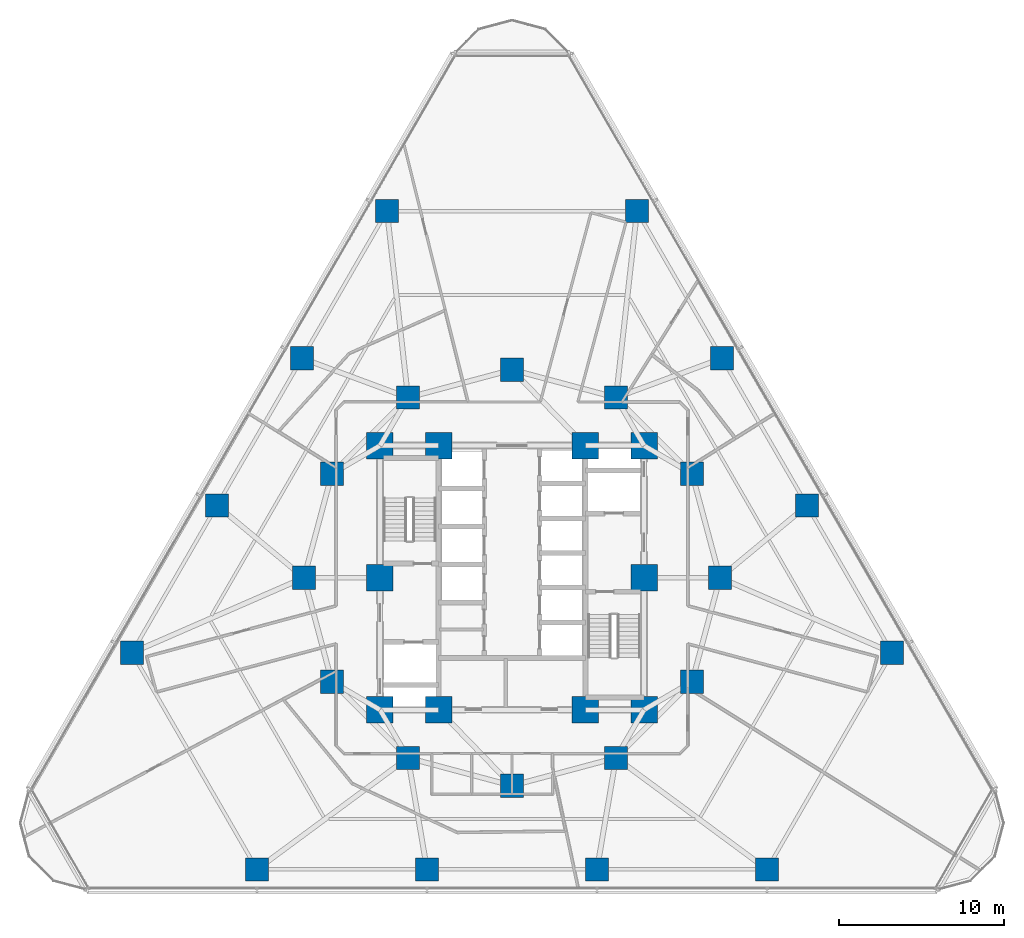
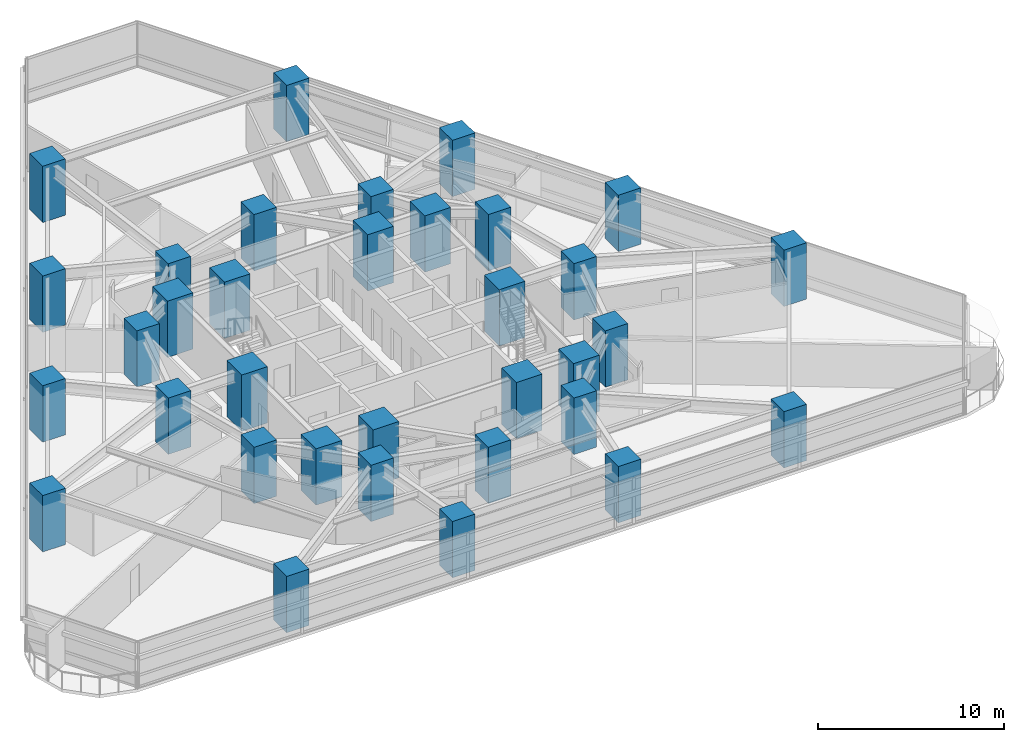
# One storey, part 1 of 15: 34 columns.
"""IFC4 building model written with IfcOpenShell, lengths in metres."""

from ifc_helpers import new_model, si_unit, direction, frame, origin, origin_2d, place, context, subcontext, project, spatial, rectangle, extrude, material, material_profile, profile_set, type_object, element, save


model = new_model("IFC4")

# Units and contexts
model_context = context("Model", 3, precision=1e-05, world=origin(), true_north=direction((0.0, 1.0)))
body_context = subcontext(model_context, "Body", "Model", "MODEL_VIEW")
ifc_project = project(units=[si_unit("LENGTHUNIT", "METRE"), si_unit("AREAUNIT", "SQUARE_METRE"), si_unit("VOLUMEUNIT", "CUBIC_METRE"), si_unit("PLANEANGLEUNIT", "RADIAN"), si_unit("MASSUNIT", "GRAM", prefix="KILO")], contexts=[model_context])

# Site, building, storey
site_placement = place(None, origin())
site = spatial("IfcSite", under=ifc_project, at=site_placement, CompositionType="ELEMENT")
building_placement = place(site_placement, origin())
building = spatial("IfcBuilding", under=site, at=building_placement, Name="Terralouvre Media Tower", CompositionType="ELEMENT")
storey_placement = place(building_placement, frame((0.0, 0.0, 33.39990234375)))
storey = spatial("IfcBuildingStorey", under=building, at=storey_placement, Name="L07", CompositionType="ELEMENT", Elevation=33.39990234375)

# Columns
ifc_material_1 = material(Name="Concrete C60/75", Category="concrete")
ifc_material_profile_1 = material_profile(ifc_material_1, rectangle(XDim=1.39990234375, YDim=1.39990234375, at=origin_2d()), Name="RC 1400x1400")
ifc_profile_set_1 = profile_set([ifc_material_profile_1], Name="Concrete C60/75")
column_type_1 = type_object("IfcColumnType", Name="Structural Column C-RC1400 (RC 1400x1400)", PredefinedType="COLUMN", material=ifc_profile_set_1)
for number, where, z_axis, x_axis, name in (
    (1, (12.60009765625, 0.0, 0.0), (0.0, 0.0, 1.0), (1.0, 0.0, 0.0), "L07 Mega-Frame Column MC01"),
    (2, (10.911865234375, 6.300048828125, 0.0), (0.0, 0.0, 1.0), (1.0, 0.0, 0.0), "L07 Mega-Frame Column MC02"),
    (3, (6.300048828125, 10.911865234375, 0.0), (0.0, 0.0, 1.0), (1.0, 0.0, 0.0), "L07 Mega-Frame Column MC03"),
    (4, (0.0, 12.60009765625, 0.0), (0.0, 0.0, 1.0), (1.0, 0.0, 0.0), "L07 Mega-Frame Column MC04"),
    (5, (-6.300048828125, 10.911865234375, 0.0), (0.0, 0.0, 1.0), (1.0, 0.0, 0.0), "L07 Mega-Frame Column MC05"),
    (6, (-10.911865234375, 6.300048828125, 0.0), (0.0, 0.0, 1.0), (1.0, 0.0, 0.0), "L07 Mega-Frame Column MC06"),
    (7, (-12.60009765625, 0.0, 0.0), (0.0, 0.0, 1.0), (1.0, 0.0, 0.0), "L07 Mega-Frame Column MC07"),
    (8, (-10.911865234375, -6.300048828125, 0.0), (0.0, 0.0, 1.0), (1.0, 0.0, 0.0), "L07 Mega-Frame Column MC08"),
    (9, (-6.300048828125, -10.911865234375, 0.0), (0.0, 0.0, 1.0), (1.0, 0.0, 0.0), "L07 Mega-Frame Column MC09"),
    (10, (0.0, -12.60009765625, 0.0), (0.0, 0.0, 1.0), (1.0, 0.0, 0.0), "L07 Mega-Frame Column MC10"),
    (11, (6.300048828125, -10.911865234375, 0.0), (0.0, 0.0, 1.0), (1.0, 0.0, 0.0), "L07 Mega-Frame Column MC11"),
    (12, (10.911865234375, -6.300048828125, 0.0), (0.0, 0.0, 1.0), (1.0, 0.0, 0.0), "L07 Mega-Frame Column MC12"),
    (13, (-15.449951171875, -17.666748046875, 0.0), (0.0, 0.0, 1.0), (1.0, 0.0, 0.0), "L07 Perimeter Mega-Column PC11"),
    (14, (-5.14990234375, -17.666748046875, 0.0), (0.0, 0.0, 1.0), (1.0, 0.0, 0.0), "L07 Perimeter Mega-Column PC12"),
    (15, (5.14990234375, -17.666748046875, 0.0), (0.0, 0.0, 1.0), (1.0, 0.0, 0.0), "L07 Perimeter Mega-Column PC13"),
    (16, (15.449951171875, -17.666748046875, 0.0), (0.0, 0.0, 1.0), (1.0, 0.0, 0.0), "L07 Perimeter Mega-Column PC14"),
    (17, (23.02490234375, -4.546630859375, 0.0), (0.0, 0.0, 1.0), (1.0, 0.0, 0.0), "L07 Perimeter Mega-Column PC21"),
    (18, (17.874755859375, 4.373291015625, 0.0), (0.0, 0.0, 1.0), (1.0, 0.0, 0.0), "L07 Perimeter Mega-Column PC22"),
    (19, (12.724853515625, 13.29345703125, 0.0), (0.0, 0.0, 1.0), (1.0, 0.0, 0.0), "L07 Perimeter Mega-Column PC23"),
    (20, (7.574951171875, 22.21337890625, 0.0), (0.0, 0.0, 1.0), (1.0, 0.0, 0.0), "L07 Perimeter Mega-Column PC24"),
    (21, (-7.574951171875, 22.21337890625, 0.0), (0.0, 0.0, 1.0), (1.0, 0.0, 0.0), "L07 Perimeter Mega-Column PC31"),
    (22, (-12.724853515625, 13.29345703125, 0.0), (0.0, 0.0, 1.0), (1.0, 0.0, 0.0), "L07 Perimeter Mega-Column PC32"),
    (23, (-17.874755859375, 4.373291015625, 0.0), (0.0, 0.0, 1.0), (1.0, 0.0, 0.0), "L07 Perimeter Mega-Column PC33"),
    (24, (-23.02490234375, -4.546630859375, 0.0), (0.0, 0.0, 1.0), (1.0, 0.0, 0.0), "L07 Perimeter Mega-Column PC34"),
):
    element("IfcColumn", number, at=place(storey_placement, frame(where, z_axis=z_axis, x_axis=x_axis)), inside=storey, type_object=column_type_1, Name=name, PredefinedType="COLUMN", context=body_context, shape_type="SweptSolid", body=[
        extrude(rectangle(XDim=1.39990234375, YDim=1.39990234375, at=origin_2d()), origin(), (0.0, 0.0, 1.0), 3.7001953125),
    ])
ifc_material_2 = material(Name="Concrete C60/75", Category="concrete")
ifc_material_profile_2 = material_profile(ifc_material_2, rectangle(XDim=1.60009765625, YDim=1.60009765625, at=origin_2d()), Name="RC 1600x1600")
ifc_profile_set_2 = profile_set([ifc_material_profile_2], Name="Concrete C60/75")
column_type_2 = type_object("IfcColumnType", Name="Structural Column C-RC1600 (RC 1600x1600)", PredefinedType="COLUMN", material=ifc_profile_set_2)
for number, where, z_axis, x_axis, name in (
    (25, (-8.0, -8.0, 0.0), (0.0, 0.0, 1.0), (1.0, 0.0, 0.0), "L07 Core Pilaster Column CP1"),
    (26, (-4.449951171875, -8.0, 0.0), (0.0, 0.0, 1.0), (1.0, 0.0, 0.0), "L07 Core Pilaster Column CP2"),
    (27, (4.449951171875, -8.0, 0.0), (0.0, 0.0, 1.0), (1.0, 0.0, 0.0), "L07 Core Pilaster Column CP10"),
    (28, (8.0, -8.0, 0.0), (0.0, 0.0, 1.0), (1.0, 0.0, 0.0), "L07 Core Pilaster Column CP3"),
    (29, (8.0, 0.0, 0.0), (0.0, 0.0, 1.0), (1.0, 0.0, 0.0), "L07 Core Pilaster Column CP4"),
    (30, (8.0, 8.0, 0.0), (0.0, 0.0, 1.0), (1.0, 0.0, 0.0), "L07 Core Pilaster Column CP5"),
    (31, (4.449951171875, 8.0, 0.0), (0.0, 0.0, 1.0), (1.0, 0.0, 0.0), "L07 Core Pilaster Column CP9"),
    (32, (-4.449951171875, 8.0, 0.0), (0.0, 0.0, 1.0), (1.0, 0.0, 0.0), "L07 Core Pilaster Column CP6"),
    (33, (-8.0, 8.0, 0.0), (0.0, 0.0, 1.0), (1.0, 0.0, 0.0), "L07 Core Pilaster Column CP7"),
    (34, (-8.0, 0.0, 0.0), (0.0, 0.0, 1.0), (1.0, 0.0, 0.0), "L07 Core Pilaster Column CP8"),
):
    element("IfcColumn", number, at=place(storey_placement, frame(where, z_axis=z_axis, x_axis=x_axis)), inside=storey, type_object=column_type_2, Name=name, PredefinedType="COLUMN", context=body_context, shape_type="SweptSolid", body=[
        extrude(rectangle(XDim=1.60009765625, YDim=1.60009765625, at=origin_2d()), origin(), (0.0, 0.0, 1.0), 3.7001953125),
    ])

save(model, "model.ifc")
